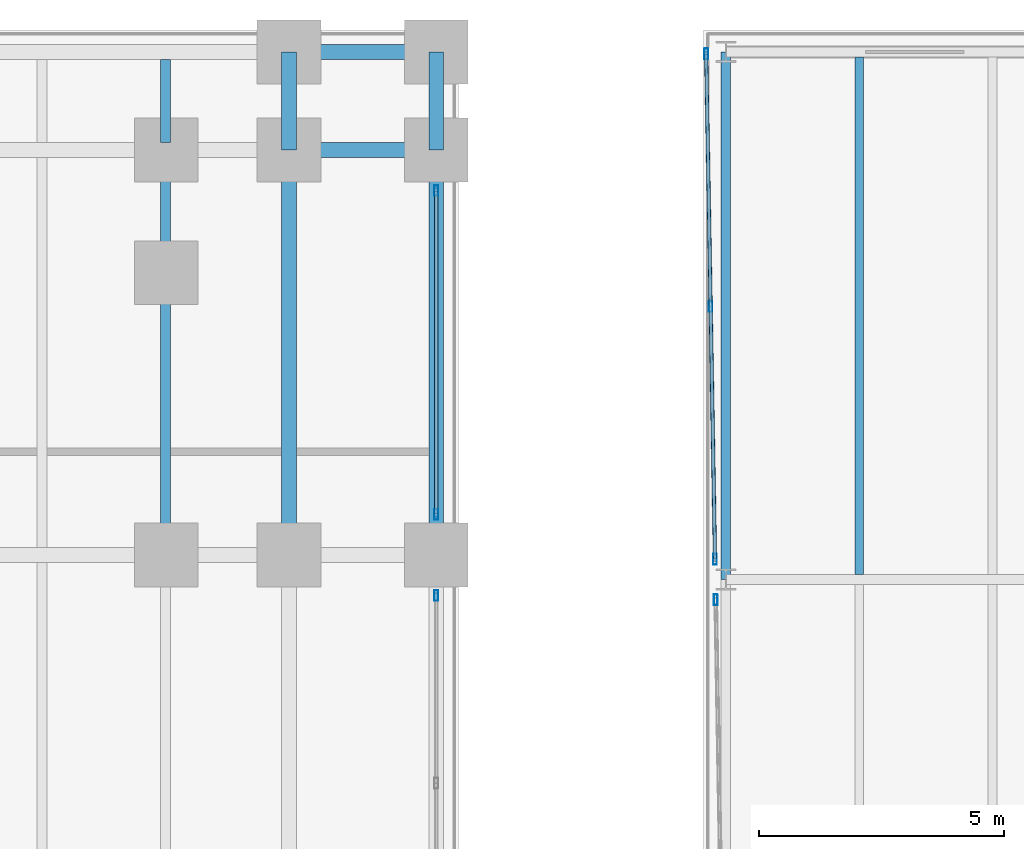
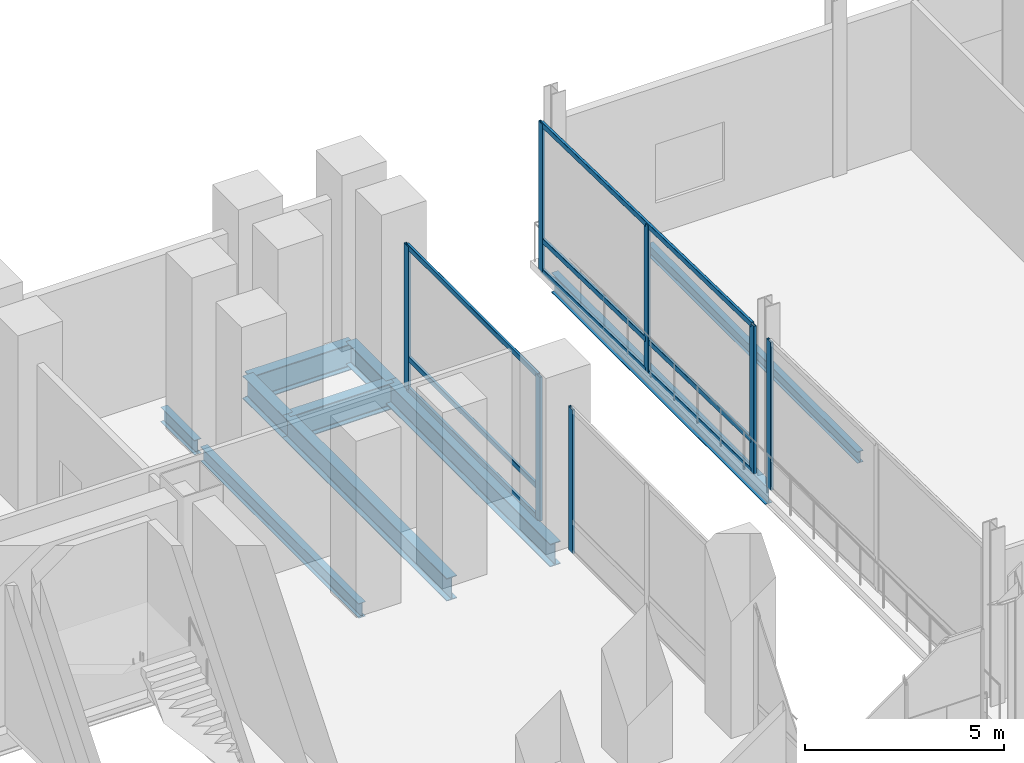
# One storey, part 19 of 31: 13 members, 10 beams, 4 elements without a shape of their own.
"""IFC4 building model written with IfcOpenShell, lengths in metres."""

from ifc_helpers import new_model, si_unit, direction, frame, origin, origin_2d, place, context, subcontext, project, spatial, hollow_rectangle, i_section, extrude, material, material_profile, profile_set, type_object, element, aggregate, save


model = new_model("IFC4")

# Units and contexts
model_context = context("Model", 3, precision=1e-05, world=origin(), true_north=direction((0.0, 1.0)))
body_context = subcontext(model_context, "Body", "Model", "MODEL_VIEW")
ifc_project = project(units=[si_unit("LENGTHUNIT", "METRE"), si_unit("AREAUNIT", "SQUARE_METRE"), si_unit("VOLUMEUNIT", "CUBIC_METRE"), si_unit("PLANEANGLEUNIT", "RADIAN"), si_unit("MASSUNIT", "GRAM", prefix="KILO")], contexts=[model_context])

# Site, building, storey
site_placement = place(None, origin())
site = spatial("IfcSite", under=ifc_project, at=site_placement, CompositionType="ELEMENT")
building_placement = place(site_placement, origin())
building = spatial("IfcBuilding", under=site, at=building_placement, Name="Noeulbin Bourse Tower", CompositionType="ELEMENT")
storey_placement = place(building_placement, frame((0.0, 0.0, 11.199951171875)))
storey = spatial("IfcBuildingStorey", under=building, at=storey_placement, Name="L03", CompositionType="ELEMENT", Elevation=11.199951171875)

# Beams
ifc_material_1 = material(Name="Steel S355", Category="steel")
ifc_material_profile_1 = material_profile(ifc_material_1, i_section(OverallWidth=0.199951171875, OverallDepth=0.60009765625, WebThickness=0.010986328125, FlangeThickness=0.01708984375, FilletRadius=0.02197265625, at=origin_2d()), Name="H-600x200x11x17", Category="LoadBearing")
ifc_profile_set_1 = profile_set([ifc_material_profile_1], Name="Steel S355")
beam_type_1 = type_object("IfcBeamType", Name="BM-GRD-600", PredefinedType="USERDEFINED", material=ifc_profile_set_1)
beam_1_placement = place(storey_placement, frame((60.449951171875, 37.800048828125, -0.52001953125), z_axis=(0.0, 1.0, 0.0), x_axis=(-1.0, 0.0, 0.0)))
element("IfcBeam", 1, at=beam_1_placement, inside=storey, type_object=beam_type_1, Name="Market Hall Girder NS L03-14", ObjectType="GIRDER", PredefinedType="USERDEFINED", context=body_context, shape_type="SweptSolid", body=[
    extrude(i_section(OverallWidth=0.199951171875, OverallDepth=0.60009765625, WebThickness=0.010986328125, FlangeThickness=0.01708984375, FilletRadius=0.02197265625, at=origin_2d()), origin(), (0.0, 0.0, 1.0), 10.75),
])
ifc_material_profile_2 = material_profile(ifc_material_1, i_section(OverallWidth=0.300048828125, OverallDepth=0.699951171875, WebThickness=0.012939453125, FlangeThickness=0.02392578125, FilletRadius=0.02392578125, at=origin_2d()), Name="H-700x300x13x24", Category="LoadBearing")
ifc_profile_set_2 = profile_set([ifc_material_profile_2], Name="Steel S355")
beam_type_2 = type_object("IfcBeamType", Name="BM-GRD-700", PredefinedType="USERDEFINED", material=ifc_profile_set_2)
beam_2_placement = place(storey_placement, frame((51.550048828125, 38.300048828125, -0.599853515625), z_axis=(0.0, 1.0, 0.0), x_axis=(-1.0, 0.0, 0.0)))
element("IfcBeam", 2, at=beam_2_placement, inside=storey, type_object=beam_type_2, Name="Podium Primary Girder NS L03-100", ObjectType="GIRDER", PredefinedType="USERDEFINED", context=body_context, shape_type="SweptSolid", body=[
    extrude(i_section(OverallWidth=0.300048828125, OverallDepth=0.699951171875, WebThickness=0.012939453125, FlangeThickness=0.02392578125, FilletRadius=0.02392578125, at=origin_2d()), origin(), (0.0, 0.0, 1.0), 8.25),
])
beam_3_placement = place(storey_placement, frame((51.550048828125, 46.550048828125, -0.599853515625), z_axis=(0.0, 1.0, 0.0), x_axis=(-1.0, 0.0, 0.0)))
element("IfcBeam", 3, at=beam_3_placement, inside=storey, type_object=beam_type_2, Name="Podium Primary Girder NS L03-101", ObjectType="GIRDER", PredefinedType="USERDEFINED", context=body_context, shape_type="SweptSolid", body=[
    extrude(i_section(OverallWidth=0.300048828125, OverallDepth=0.699951171875, WebThickness=0.012939453125, FlangeThickness=0.02392578125, FilletRadius=0.02392578125, at=origin_2d()), origin(), (0.0, 0.0, 1.0), 2.0),
])
beam_4_placement = place(storey_placement, frame((54.550048828125, 38.300048828125, -0.599853515625), z_axis=(0.0, 1.0, 0.0), x_axis=(-1.0, 0.0, 0.0)))
element("IfcBeam", 4, at=beam_4_placement, inside=storey, type_object=beam_type_2, Name="Podium Primary Girder NS L03-106", ObjectType="GIRDER", PredefinedType="USERDEFINED", context=body_context, shape_type="SweptSolid", body=[
    extrude(i_section(OverallWidth=0.300048828125, OverallDepth=0.699951171875, WebThickness=0.012939453125, FlangeThickness=0.02392578125, FilletRadius=0.02392578125, at=origin_2d()), origin(), (0.0, 0.0, 1.0), 8.25),
])
beam_5_placement = place(storey_placement, frame((54.550048828125, 46.550048828125, -0.599853515625), z_axis=(0.0, 1.0, 0.0), x_axis=(-1.0, 0.0, 0.0)))
element("IfcBeam", 5, at=beam_5_placement, inside=storey, type_object=beam_type_2, Name="Podium Primary Girder NS L03-107", ObjectType="GIRDER", PredefinedType="USERDEFINED", context=body_context, shape_type="SweptSolid", body=[
    extrude(i_section(OverallWidth=0.300048828125, OverallDepth=0.699951171875, WebThickness=0.012939453125, FlangeThickness=0.02392578125, FilletRadius=0.02392578125, at=origin_2d()), origin(), (0.0, 0.0, 1.0), 2.0),
])
ifc_material_profile_3 = material_profile(ifc_material_1, i_section(OverallWidth=0.300048828125, OverallDepth=0.800048828125, WebThickness=0.013916015625, FlangeThickness=0.02587890625, FilletRadius=0.02587890625, at=origin_2d()), Name="H-800x300x14x26", Category="LoadBearing")
ifc_profile_set_3 = profile_set([ifc_material_profile_3], Name="Steel S355")
beam_type_3 = type_object("IfcBeamType", Name="BM-GRD-800", PredefinedType="USERDEFINED", material=ifc_profile_set_3)
for number, where, z_axis, x_axis, name in (
    (6, (51.550048828125, 46.550048828125, -0.64990234375), (1.0, 0.0, 0.0), (0.0, 1.0, 0.0), "Podium Primary Girder EW L03-048"),
    (7, (51.550048828125, 48.550048828125, -0.64990234375), (1.0, 0.0, 0.0), (0.0, 1.0, 0.0), "Podium Primary Girder EW L03-056"),
):
    element("IfcBeam", number, at=place(storey_placement, frame(where, z_axis=z_axis, x_axis=x_axis)), inside=storey, type_object=beam_type_3, Name=name, ObjectType="GIRDER", PredefinedType="USERDEFINED", context=body_context, shape_type="SweptSolid", body=[
        extrude(i_section(OverallWidth=0.300048828125, OverallDepth=0.800048828125, WebThickness=0.013916015625, FlangeThickness=0.02587890625, FilletRadius=0.02587890625, at=origin_2d()), origin(), (0.0, 0.0, 1.0), 3.0),
    ])
ifc_material_profile_4 = material_profile(ifc_material_1, i_section(OverallWidth=0.175048828125, OverallDepth=0.35009765625, WebThickness=0.007080078125, FlangeThickness=0.010986328125, FilletRadius=0.013916015625, at=origin_2d()), Name="H-350x175x7x11", Category="LoadBearing")
ifc_profile_set_4 = profile_set([ifc_material_profile_4], Name="Steel S355")
beam_type_4 = type_object("IfcBeamType", Name="BM-JST-350", PredefinedType="JOIST", material=ifc_profile_set_4)
beam_6_placement = place(storey_placement, frame((63.166748046875, 37.89990234375, -0.39501953125), z_axis=(0.0, 1.0, 0.0), x_axis=(-1.0, 0.0, 0.0)))
element("IfcBeam", 8, at=beam_6_placement, inside=storey, type_object=beam_type_4, Name="Market Hall Secondary Joist L03-03", PredefinedType="JOIST", context=body_context, shape_type="SweptSolid", body=[
    extrude(i_section(OverallWidth=0.175048828125, OverallDepth=0.35009765625, WebThickness=0.007080078125, FlangeThickness=0.010986328125, FilletRadius=0.013916015625, at=origin_2d()), origin(), (0.0, 0.0, 1.0), 10.550048828125),
])
ifc_material_profile_5 = material_profile(ifc_material_1, i_section(OverallWidth=0.199951171875, OverallDepth=0.449951171875, WebThickness=0.009033203125, FlangeThickness=0.013916015625, FilletRadius=0.01806640625, at=origin_2d()), Name="H-450x200x9x14", Category="LoadBearing")
ifc_profile_set_5 = profile_set([ifc_material_profile_5], Name="Steel S355")
beam_type_5 = type_object("IfcBeamType", Name="BM-SEC-450", PredefinedType="BEAM", material=ifc_profile_set_5)
beam_7_placement = place(storey_placement, frame((49.033203125, 38.449951171875, -0.474853515625), z_axis=(0.0, 1.0, 0.0), x_axis=(-1.0, 0.0, 0.0)))
element("IfcBeam", 9, at=beam_7_placement, inside=storey, type_object=beam_type_5, Name="Podium Secondary Beam L03-083", PredefinedType="BEAM", context=body_context, shape_type="SweptSolid", body=[
    extrude(i_section(OverallWidth=0.199951171875, OverallDepth=0.449951171875, WebThickness=0.009033203125, FlangeThickness=0.013916015625, FilletRadius=0.01806640625, at=origin_2d()), origin(), (0.0, 0.0, 1.0), 7.949951171875),
])
beam_8_placement = place(storey_placement, frame((49.033203125, 46.699951171875, -0.474853515625), z_axis=(0.0, 1.0, 0.0), x_axis=(-1.0, 0.0, 0.0)))
element("IfcBeam", 10, at=beam_8_placement, inside=storey, type_object=beam_type_5, Name="Podium Secondary Beam L03-084", PredefinedType="BEAM", context=body_context, shape_type="SweptSolid", body=[
    extrude(i_section(OverallWidth=0.199951171875, OverallDepth=0.449951171875, WebThickness=0.009033203125, FlangeThickness=0.013916015625, FilletRadius=0.01806640625, at=origin_2d()), origin(), (0.0, 0.0, 1.0), 1.699951171875),
])

# Curtain wall, member
ifc_material_2 = material(Name="Laminated Clear Low-E Glass", Category="glass")
curtain_wall_type = type_object("IfcCurtainWallType", Name="CW-SYS-1", PredefinedType="NOTDEFINED", material=ifc_material_2)
curtain_wall_1_placement = place(storey_placement, origin())
curtain_wall_1 = element("IfcCurtainWall", 11, at=curtain_wall_1_placement, inside=storey, type_object=curtain_wall_type, Name="Unitised Curtain Wall CW-L03-POD-E2-S2", PredefinedType="NOTDEFINED")
ifc_material_3 = material(Name="Anodised Aluminium 6063-T6", Category="aluminium")
ifc_material_profile_6 = material_profile(ifc_material_3, hollow_rectangle(XDim=0.074951171875, YDim=0.219970703125, WallThickness=0.0048828125, InnerFilletRadius=0.00244140625, OuterFilletRadius=0.0048828125, at=origin_2d()), Name="ALU-MULL-75x220x5", Category="LoadBearing")
ifc_profile_set_6 = profile_set([ifc_material_profile_6], Name="Anodised Aluminium 6063-T6")
member_type_1 = type_object("IfcMemberType", Name="CW-SYS-1-MUL", PredefinedType="MULLION", material=ifc_profile_set_6)
member_1_placement = place(storey_placement, frame((54.550048828125, 37.47509765625, -0.02001953125), z_axis=(0.0, 0.0, 1.0), x_axis=(1.0, 0.0, 0.0)))
member_1 = element("IfcMember", 12, at=member_1_placement, type_object=member_type_1, Name="Curtain Wall Mullion CW-L03-POD-E2-S2-M02", PredefinedType="MULLION", context=body_context, shape_type="SweptSolid", body=[
    extrude(hollow_rectangle(XDim=0.074951171875, YDim=0.219970703125, WallThickness=0.0048828125, InnerFilletRadius=0.00244140625, OuterFilletRadius=0.0048828125, at=origin_2d()), origin(), (0.0, 0.0, 1.0), 4.41015625),
])
aggregate(curtain_wall_1, [member_1])

# Curtain wall, members
curtain_wall_2_placement = place(storey_placement, origin())
curtain_wall_2 = element("IfcCurtainWall", 13, at=curtain_wall_2_placement, inside=storey, type_object=curtain_wall_type, Name="Unitised Curtain Wall CW-L03-POD-E2-S3", PredefinedType="NOTDEFINED")
member_2_placement = place(storey_placement, frame((54.550048828125, 39.125, -0.02001953125), z_axis=(0.0, 0.0, 1.0), x_axis=(1.0, 0.0, 0.0)))
member_2 = element("IfcMember", 14, at=member_2_placement, type_object=member_type_1, Name="Curtain Wall Mullion CW-L03-POD-E2-S3-M00", PredefinedType="MULLION", context=body_context, shape_type="SweptSolid", body=[
    extrude(hollow_rectangle(XDim=0.074951171875, YDim=0.219970703125, WallThickness=0.0048828125, InnerFilletRadius=0.00244140625, OuterFilletRadius=0.0048828125, at=origin_2d()), origin(), (0.0, 0.0, 1.0), 4.41015625),
])
member_3_placement = place(storey_placement, frame((54.550048828125, 45.72509765625, -0.02001953125), z_axis=(0.0, 0.0, 1.0), x_axis=(1.0, 0.0, 0.0)))
member_3 = element("IfcMember", 15, at=member_3_placement, type_object=member_type_1, Name="Curtain Wall Mullion CW-L03-POD-E2-S3-M01", PredefinedType="MULLION", context=body_context, shape_type="SweptSolid", body=[
    extrude(hollow_rectangle(XDim=0.074951171875, YDim=0.219970703125, WallThickness=0.0048828125, InnerFilletRadius=0.00244140625, OuterFilletRadius=0.0048828125, at=origin_2d()), origin(), (0.0, 0.0, 1.0), 4.41015625),
])

# Curtain wall, member
curtain_wall_3_placement = place(storey_placement, origin())
curtain_wall_3 = element("IfcCurtainWall", 16, at=curtain_wall_3_placement, inside=storey, type_object=curtain_wall_type, Name="Unitised Curtain Wall CW-L03-MKT-W2-S1", PredefinedType="NOTDEFINED")
member_4_placement = place(storey_placement, frame((60.24462890625, 37.385986328125, -0.02001953125), z_axis=(0.0, 0.0, 1.0), x_axis=(1.0, 0.0, 0.0)))
member_4 = element("IfcMember", 17, at=member_4_placement, type_object=member_type_1, Name="Curtain Wall Mullion CW-L03-MKT-W2-S1-M02", PredefinedType="MULLION", context=body_context, shape_type="SweptSolid", body=[
    extrude(hollow_rectangle(XDim=0.074951171875, YDim=0.219970703125, WallThickness=0.0048828125, InnerFilletRadius=0.00244140625, OuterFilletRadius=0.0048828125, at=origin_2d()), origin(), (0.0, 0.0, 1.0), 4.5400390625),
])
aggregate(curtain_wall_3, [member_4])

# Curtain wall, members
curtain_wall_4_placement = place(storey_placement, origin())
curtain_wall_4 = element("IfcCurtainWall", 18, at=curtain_wall_4_placement, inside=storey, type_object=curtain_wall_type, Name="Unitised Curtain Wall CW-L03-MKT-W2-S2", PredefinedType="NOTDEFINED")
member_5_placement = place(storey_placement, frame((60.22998046875, 38.214111328125, -0.02001953125), z_axis=(0.0, 0.0, 1.0), x_axis=(1.0, 0.0, 0.0)))
member_5 = element("IfcMember", 19, at=member_5_placement, type_object=member_type_1, Name="Curtain Wall Mullion CW-L03-MKT-W2-S2-M00", PredefinedType="MULLION", context=body_context, shape_type="SweptSolid", body=[
    extrude(hollow_rectangle(XDim=0.074951171875, YDim=0.219970703125, WallThickness=0.0048828125, InnerFilletRadius=0.00244140625, OuterFilletRadius=0.0048828125, at=origin_2d()), origin(), (0.0, 0.0, 1.0), 4.5400390625),
])
member_6_placement = place(storey_placement, frame((60.140380859375, 43.362060546875, -0.02001953125), z_axis=(0.0, 0.0, 1.0), x_axis=(1.0, 0.0, 0.0)))
member_6 = element("IfcMember", 20, at=member_6_placement, type_object=member_type_1, Name="Curtain Wall Mullion CW-L03-MKT-W2-S2-M01", PredefinedType="MULLION", context=body_context, shape_type="SweptSolid", body=[
    extrude(hollow_rectangle(XDim=0.074951171875, YDim=0.219970703125, WallThickness=0.0048828125, InnerFilletRadius=0.00244140625, OuterFilletRadius=0.0048828125, at=origin_2d()), origin(), (0.0, 0.0, 1.0), 4.5400390625),
])
member_7_placement = place(storey_placement, frame((60.05078125, 48.510009765625, -0.02001953125), z_axis=(0.0, 0.0, 1.0), x_axis=(1.0, 0.0, 0.0)))
member_7 = element("IfcMember", 21, at=member_7_placement, type_object=member_type_1, Name="Curtain Wall Mullion CW-L03-MKT-W2-S2-M02", PredefinedType="MULLION", context=body_context, shape_type="SweptSolid", body=[
    extrude(hollow_rectangle(XDim=0.074951171875, YDim=0.219970703125, WallThickness=0.0048828125, InnerFilletRadius=0.00244140625, OuterFilletRadius=0.0048828125, at=origin_2d()), origin(), (0.0, 0.0, 1.0), 4.5400390625),
])

# Member
ifc_material_profile_7 = material_profile(ifc_material_3, hollow_rectangle(XDim=0.074951171875, YDim=0.159912109375, WallThickness=0.0048828125, InnerFilletRadius=0.00244140625, OuterFilletRadius=0.0048828125, at=origin_2d()), Name="ALU-TRAN-75x160x5", Category="LoadBearing")
ifc_profile_set_7 = profile_set([ifc_material_profile_7], Name="Anodised Aluminium 6063-T6")
member_type_2 = type_object("IfcMemberType", Name="CW-SYS-1-TRN", PredefinedType="USERDEFINED", material=ifc_profile_set_7)
member_8_placement = place(storey_placement, frame((54.550048828125, 39.135009765625, 0.010009765625), z_axis=(0.0, 1.0, 0.0), x_axis=(-1.0, 0.0, 0.0)))
member_8 = element("IfcMember", 22, at=member_8_placement, type_object=member_type_2, Name="Curtain Wall Transom CW-L03-POD-E2-S3-T00", ObjectType="TRANSOM", PredefinedType="USERDEFINED", context=body_context, shape_type="SweptSolid", body=[
    extrude(hollow_rectangle(XDim=0.074951171875, YDim=0.159912109375, WallThickness=0.0048828125, InnerFilletRadius=0.00244140625, OuterFilletRadius=0.0048828125, at=origin_2d()), origin(), (0.0, 0.0, 1.0), 6.580078125),
])

member_9_placement = place(storey_placement, frame((54.550048828125, 39.135009765625, 0.949951171875), z_axis=(0.0, 1.0, 0.0), x_axis=(-1.0, 0.0, 0.0)))
member_9 = element("IfcMember", 23, at=member_9_placement, type_object=member_type_2, Name="Curtain Wall Transom CW-L03-POD-E2-S3-T01", ObjectType="TRANSOM", PredefinedType="USERDEFINED", context=body_context, shape_type="SweptSolid", body=[
    extrude(hollow_rectangle(XDim=0.074951171875, YDim=0.159912109375, WallThickness=0.0048828125, InnerFilletRadius=0.00244140625, OuterFilletRadius=0.0048828125, at=origin_2d()), origin(), (0.0, 0.0, 1.0), 6.580078125),
])

member_10_placement = place(storey_placement, frame((54.550048828125, 39.135009765625, 4.360107421875), z_axis=(0.0, 1.0, 0.0), x_axis=(-1.0, 0.0, 0.0)))
member_10 = element("IfcMember", 24, at=member_10_placement, type_object=member_type_2, Name="Curtain Wall Transom CW-L03-POD-E2-S3-T02", ObjectType="TRANSOM", PredefinedType="USERDEFINED", context=body_context, shape_type="SweptSolid", body=[
    extrude(hollow_rectangle(XDim=0.074951171875, YDim=0.159912109375, WallThickness=0.0048828125, InnerFilletRadius=0.00244140625, OuterFilletRadius=0.0048828125, at=origin_2d()), origin(), (0.0, 0.0, 1.0), 6.580078125),
])

aggregate(curtain_wall_2, [member_2, member_3, member_8, member_9, member_10])

member_11_placement = place(storey_placement, frame((60.22998046875, 38.22412109375, 0.010009765625), z_axis=(-0.017436170496, 0.999847978424, 0.0), x_axis=(-0.999847978424, -0.017436170496, 0.0)))
member_11 = element("IfcMember", 25, at=member_11_placement, type_object=member_type_2, Name="Curtain Wall Transom CW-L03-MKT-W2-S2-T00", ObjectType="TRANSOM", PredefinedType="USERDEFINED", context=body_context, shape_type="SweptSolid", body=[
    extrude(hollow_rectangle(XDim=0.074951171875, YDim=0.159912109375, WallThickness=0.0048828125, InnerFilletRadius=0.00244140625, OuterFilletRadius=0.0048828125, at=origin_2d()), origin(), (0.0, 0.0, 1.0), 10.27734375),
])

member_12_placement = place(storey_placement, frame((60.22998046875, 38.22412109375, 0.949951171875), z_axis=(-0.017436170496, 0.999847978424, 0.0), x_axis=(-0.999847978424, -0.017436170496, 0.0)))
member_12 = element("IfcMember", 26, at=member_12_placement, type_object=member_type_2, Name="Curtain Wall Transom CW-L03-MKT-W2-S2-T01", ObjectType="TRANSOM", PredefinedType="USERDEFINED", context=body_context, shape_type="SweptSolid", body=[
    extrude(hollow_rectangle(XDim=0.074951171875, YDim=0.159912109375, WallThickness=0.0048828125, InnerFilletRadius=0.00244140625, OuterFilletRadius=0.0048828125, at=origin_2d()), origin(), (0.0, 0.0, 1.0), 10.27734375),
])

member_13_placement = place(storey_placement, frame((60.22998046875, 38.22412109375, 4.489990234375), z_axis=(-0.017436170496, 0.999847978424, 0.0), x_axis=(-0.999847978424, -0.017436170496, 0.0)))
member_13 = element("IfcMember", 27, at=member_13_placement, type_object=member_type_2, Name="Curtain Wall Transom CW-L03-MKT-W2-S2-T02", ObjectType="TRANSOM", PredefinedType="USERDEFINED", context=body_context, shape_type="SweptSolid", body=[
    extrude(hollow_rectangle(XDim=0.074951171875, YDim=0.159912109375, WallThickness=0.0048828125, InnerFilletRadius=0.00244140625, OuterFilletRadius=0.0048828125, at=origin_2d()), origin(), (0.0, 0.0, 1.0), 10.27734375),
])

aggregate(curtain_wall_4, [member_5, member_6, member_7, member_11, member_12, member_13])

save(model, "model.ifc")
